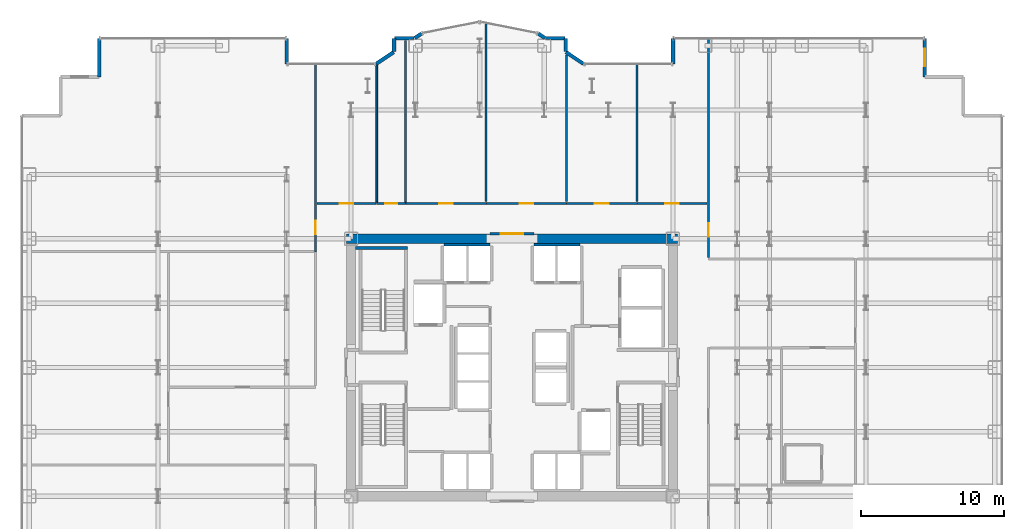
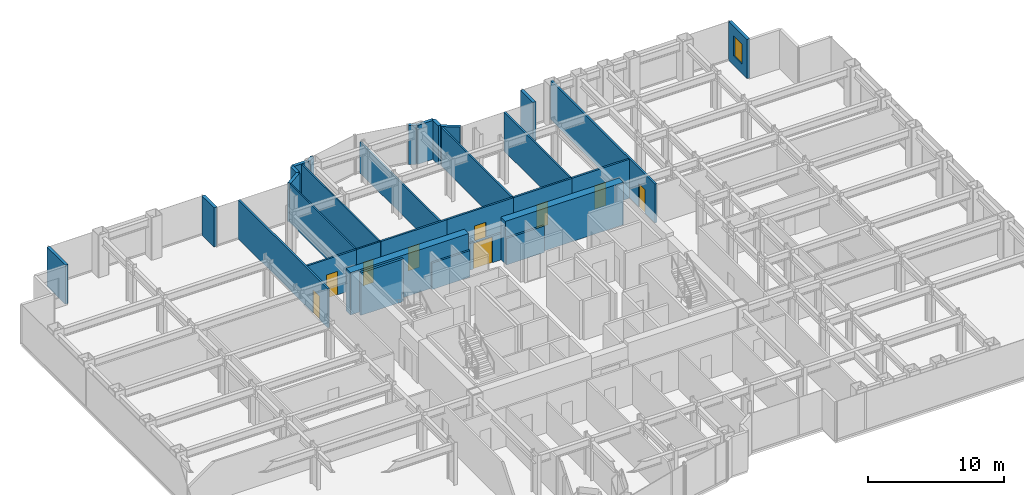
# One storey, part 24 of 26: 31 walls, 9 doors, 1 window, 10 openings.
"""IFC4 building model written with IfcOpenShell, lengths in metres."""

from ifc_helpers import new_model, si_unit, direction, frame, frame_2d, origin, place, context, subcontext, project, spatial, rectangle, extrude, source, transform, mapped, material, layer, layer_set, type_object, element, fill, save


model = new_model("IFC4")

# Units and contexts
model_context = context("Model", 3, precision=1e-05, world=origin(), true_north=direction((0.0, 1.0)))
body_context = subcontext(model_context, "Body", "Model", "MODEL_VIEW")
ifc_project = project(units=[si_unit("LENGTHUNIT", "METRE"), si_unit("AREAUNIT", "SQUARE_METRE"), si_unit("VOLUMEUNIT", "CUBIC_METRE"), si_unit("PLANEANGLEUNIT", "RADIAN"), si_unit("MASSUNIT", "GRAM", prefix="KILO")], contexts=[model_context])

# Site, building, storey
site_placement = place(None, origin())
site = spatial("IfcSite", under=ifc_project, at=site_placement, CompositionType="ELEMENT")
building_placement = place(site_placement, origin())
building = spatial("IfcBuilding", under=site, at=building_placement, Name="Nefas-Gora Pilgrimage Tower", CompositionType="ELEMENT")
storey_placement = place(building_placement, frame((0.0, 0.0, 82.39990234375)))
storey = spatial("IfcBuildingStorey", under=building, at=storey_placement, Name="L19", CompositionType="ELEMENT", Elevation=82.39990234375)

# Walls
ifc_material_1 = material(Name="Concrete C60/75", Category="concrete")
ifc_layer_1 = layer(ifc_material_1, 0.64990234375)
ifc_layer_set_1 = layer_set([ifc_layer_1], Name="Concrete C60/75")
wall_type_1 = type_object("IfcWallType", Name="SW-CORE-650", PredefinedType="SHEAR", material=ifc_layer_set_1)
shared_shape_1 = source(origin(), body_context, "Body", "SweptSolid", [
    extrude(rectangle(XDim=10.02490234375, YDim=0.64990234375, at=frame_2d((5.012451171875, 0.0))), origin(), (0.0, 0.0, 1.0), 3.800048828125),
])
for number, where, z_axis, x_axis, name in (
    (1, (-11.574951171875, 9.0, 0.0), (0.0, 0.0, 1.0), (1.0, 0.0, 0.0), "L19 Core Shear Wall N-West"),
    (2, (1.550048828125, 9.0, 0.0), (0.0, 0.0, 1.0), (1.0, 0.0, 0.0), "L19 Core Shear Wall N-East"),
):
    element("IfcWall", number, at=place(storey_placement, frame(where, z_axis=z_axis, x_axis=x_axis)), inside=storey, type_object=wall_type_1, Name=name, PredefinedType="SHEAR", context=body_context, shape_type="MappedRepresentation", body=[
        mapped(shared_shape_1, transform((0.0, 0.0, 0.0), x_axis=(1.0, 0.0, 0.0), y_axis=(0.0, 1.0, 0.0), z_axis=(0.0, 0.0, 1.0), scale=1.0)),
    ])
ifc_material_2 = material(Name="Precast concrete C40/50", Category="concrete")
ifc_layer_2 = layer(ifc_material_2, 0.260009765625)
ifc_layer_set_2 = layer_set([ifc_layer_2], Name="Precast concrete C40/50")
wall_type_2 = type_object("IfcWallType", Name="EW-PORTAL-260", PredefinedType="SOLIDWALL", material=ifc_layer_set_2)
shared_shape_2 = source(origin(), body_context, "Body", "SweptSolid", [
    extrude(rectangle(XDim=1.800048828125, YDim=0.260009765625, at=frame_2d((0.89990234375, 0.0))), origin(), (0.0, 0.0, 1.0), 3.5),
])
for number, where, z_axis, x_axis, name in (
    (3, (11.25, 23.02001953125, 0.0), (0.0, 0.0, 1.0), (0.0, -1.0, 0.0), "L19 Lobe Shoulder Precast Spandrel Pier 10"),
    (4, (-15.75, 21.219970703125, 0.0), (0.0, 0.0, 1.0), (0.0, 1.0, 0.0), "L19 Lobe Shoulder Precast Spandrel Pier 19"),
):
    element("IfcWall", number, at=place(storey_placement, frame(where, z_axis=z_axis, x_axis=x_axis)), inside=storey, type_object=wall_type_2, Name=name, PredefinedType="SOLIDWALL", context=body_context, shape_type="MappedRepresentation", body=[
        mapped(shared_shape_2, transform((0.0, 0.0, 0.0), x_axis=(1.0, 0.0, 0.0), y_axis=(0.0, 1.0, 0.0), z_axis=(0.0, 0.0, 1.0), scale=1.0)),
    ])

# Wall, opening, window
ifc_material_3 = material(Name="Precast concrete C45/55", Category="concrete")
ifc_layer_3 = layer(ifc_material_3, 0.239990234375)
ifc_layer_set_3 = layer_set([ifc_layer_3], Name="Precast concrete C45/55")
wall_type_3 = type_object("IfcWallType", Name="EW-SERR-240", PredefinedType="SHEAR", material=ifc_layer_set_3)
shared_shape_3 = source(origin(), body_context, "Body", "SweptSolid", [
    extrude(rectangle(XDim=2.699951171875, YDim=0.239990234375, at=frame_2d((1.35009765625, 0.0))), origin(), (0.0, 0.0, 1.0), 3.5),
])
wall_1_placement = place(storey_placement, frame((28.8701171875, 20.320068359375, 0.0), z_axis=(0.0, 0.0, 1.0), x_axis=(0.0, 1.0, 0.0)))
wall_1 = element("IfcWall", 5, at=wall_1_placement, inside=storey, type_object=wall_type_3, Name="L19 Serrated Corner Shear Pier Wall 9", PredefinedType="SHEAR", context=body_context, shape_type="MappedRepresentation", body=[
    mapped(shared_shape_3, transform((0.0, 0.0, 0.0), x_axis=(1.0, 0.0, 0.0), y_axis=(0.0, 1.0, 0.0), z_axis=(0.0, 0.0, 1.0), scale=1.0)),
])
opening_1_placement = place(wall_1_placement, frame((0.75, 0.0, 0.85009765625)))
opening_1 = element("IfcOpeningElement", 6, at=opening_1_placement, cuts=wall_1, Name="Opening W-V1", PredefinedType="OPENING", context=body_context, shape_type="SweptSolid", body=[
    extrude(rectangle(XDim=1.199951171875, YDim=1.800048828125, at=frame_2d((0.60009765625, 0.89990234375))), frame((0.0, 0.1298828125, 0.0), z_axis=(0.0, -1.0, 0.0), x_axis=(1.0, 0.0, 0.0)), (0.0, 0.0, 1.0), 0.260009765625),
])
ifc_material_4 = material(Name="Dark ceramic-fritted operable aluminium-glass window", Category="aluminium")
window_type = type_object("IfcWindowType", Name="WIN-VENT-1200x1800", PartitioningType="SINGLE_PANEL", PredefinedType="WINDOW", material=ifc_material_4)
shared_shape_4 = source(origin(), body_context, "Body", "SweptSolid", [
    extrude(rectangle(XDim=1.199951171875, YDim=1.800048828125, at=frame_2d((0.60009765625, 0.89990234375))), frame((0.0, 0.030029296875, 0.0), z_axis=(0.0, -1.0, 0.0), x_axis=(1.0, 0.0, 0.0)), (0.0, 0.0, 1.0), 0.06005859375),
])
window_placement = place(opening_1_placement, origin())
window = element("IfcWindow", 7, at=window_placement, inside=storey, type_object=window_type, Name="L19 Operable Parallel-Outswing Window 9", OverallHeight=1.800048828125, OverallWidth=1.199951171875, PartitioningType="SINGLE_PANEL", PredefinedType="WINDOW", context=body_context, shape_type="MappedRepresentation", body=[
    mapped(shared_shape_4, transform((0.0, 0.0, 0.0), x_axis=(1.0, 0.0, 0.0), y_axis=(0.0, 1.0, 0.0), z_axis=(0.0, 0.0, 1.0), scale=1.0)),
])
fill(opening_1, window)

# Walls
wall_2_placement = place(storey_placement, frame((-28.8701171875, 23.02001953125, 0.0), z_axis=(0.0, 0.0, 1.0), x_axis=(0.0, -1.0, 0.0)))
element("IfcWall", 8, at=wall_2_placement, inside=storey, type_object=wall_type_3, Name="L19 Serrated Corner Shear Pier Wall 20", PredefinedType="SHEAR", context=body_context, shape_type="MappedRepresentation", body=[
    mapped(shared_shape_3, transform((0.0, 0.0, 0.0), x_axis=(1.0, 0.0, 0.0), y_axis=(0.0, 1.0, 0.0), z_axis=(0.0, 0.0, 1.0), scale=1.0)),
])
shared_shape_5 = source(origin(), body_context, "Body", "SweptSolid", [
    extrude(rectangle(XDim=1.468994140625, YDim=0.260009765625, at=frame_2d((0.734375, 0.0))), origin(), (0.0, 0.0, 1.0), 3.5),
])
for number, where, z_axis, x_axis, name in (
    (9, (4.99462890625, 21.235595703125, 0.0), (0.0, 0.0, 1.0), (-0.831461760506, 0.555581983884, 0.0), "L19 Lobe Shoulder Precast Spandrel Pier 11"),
    (10, (-8.273193359375, 22.0517578125, 0.0), (0.0, 0.0, 1.0), (-0.831461760506, -0.555581983884, 0.0), "L19 Lobe Shoulder Precast Spandrel Pier 18"),
):
    element("IfcWall", number, at=place(storey_placement, frame(where, z_axis=z_axis, x_axis=x_axis)), inside=storey, type_object=wall_type_2, Name=name, PredefinedType="SOLIDWALL", context=body_context, shape_type="MappedRepresentation", body=[
        mapped(shared_shape_5, transform((0.0, 0.0, 0.0), x_axis=(1.0, 0.0, 0.0), y_axis=(0.0, 1.0, 0.0), z_axis=(0.0, 0.0, 1.0), scale=1.0)),
    ])
shared_shape_6 = source(origin(), body_context, "Body", "SweptSolid", [
    extrude(rectangle(XDim=0.896728515625, YDim=0.260009765625, at=frame_2d((0.4482421875, 0.0))), origin(), (0.0, 0.0, 1.0), 3.5),
])
for number, where, z_axis, x_axis, name in (
    (11, (3.75, 22.09521484375, 0.0), (0.0, 0.0, 1.0), (0.0, 1.0, 0.0), "L19 Lobe Shoulder Precast Spandrel Pier 12"),
    (12, (-8.25, 22.991943359375, 0.0), (0.0, 0.0, 1.0), (0.0, -1.0, 0.0), "L19 Lobe Shoulder Precast Spandrel Pier 17"),
):
    element("IfcWall", number, at=place(storey_placement, frame(where, z_axis=z_axis, x_axis=x_axis)), inside=storey, type_object=wall_type_2, Name=name, PredefinedType="SOLIDWALL", context=body_context, shape_type="MappedRepresentation", body=[
        mapped(shared_shape_6, transform((0.0, 0.0, 0.0), x_axis=(1.0, 0.0, 0.0), y_axis=(0.0, 1.0, 0.0), z_axis=(0.0, 0.0, 1.0), scale=1.0)),
    ])
shared_shape_7 = source(origin(), body_context, "Body", "SweptSolid", [
    extrude(rectangle(XDim=1.369873046875, YDim=0.260009765625, at=frame_2d((0.68505859375, 0.0))), origin(), (0.0, 0.0, 1.0), 3.5),
])
for number, where, z_axis, x_axis, name in (
    (13, (3.721923828125, 23.02001953125, 0.0), (0.0, 0.0, 1.0), (-1.0, 0.0, 0.0), "L19 Lobe Shoulder Precast Spandrel Pier 13"),
    (14, (-6.85205078125, 23.02001953125, 0.0), (0.0, 0.0, 1.0), (-1.0, 0.0, 0.0), "L19 Lobe Shoulder Precast Spandrel Pier 16"),
):
    element("IfcWall", number, at=place(storey_placement, frame(where, z_axis=z_axis, x_axis=x_axis)), inside=storey, type_object=wall_type_2, Name=name, PredefinedType="SOLIDWALL", context=body_context, shape_type="MappedRepresentation", body=[
        mapped(shared_shape_7, transform((0.0, 0.0, 0.0), x_axis=(1.0, 0.0, 0.0), y_axis=(0.0, 1.0, 0.0), z_axis=(0.0, 0.0, 1.0), scale=1.0)),
    ])
shared_shape_8 = source(origin(), body_context, "Body", "SweptSolid", [
    extrude(rectangle(XDim=0.5654296875, YDim=0.260009765625, at=frame_2d((0.28271484375, 0.0))), origin(), (0.0, 0.0, 1.0), 3.5),
])
for number, where, z_axis, x_axis, name in (
    (15, (2.30078125, 23.03564453125, 0.0), (0.0, 0.0, 1.0), (-0.831651492666, 0.555297933317, 0.0), "L19 Lobe Shoulder Precast Spandrel Pier 14"),
    (16, (-6.33056640625, 23.349609375, 0.0), (0.0, 0.0, 1.0), (-0.831651492666, -0.555297933317, 0.0), "L19 Lobe Shoulder Precast Spandrel Pier 15"),
):
    element("IfcWall", number, at=place(storey_placement, frame(where, z_axis=z_axis, x_axis=x_axis)), inside=storey, type_object=wall_type_2, Name=name, PredefinedType="SOLIDWALL", context=body_context, shape_type="MappedRepresentation", body=[
        mapped(shared_shape_8, transform((0.0, 0.0, 0.0), x_axis=(1.0, 0.0, 0.0), y_axis=(0.0, 1.0, 0.0), z_axis=(0.0, 0.0, 1.0), scale=1.0)),
    ])
ifc_material_5 = material(Name="Concrete C45/55", Category="concrete")
ifc_layer_4 = layer(ifc_material_5, 0.199951171875)
ifc_layer_set_4 = layer_set([ifc_layer_4], Name="Concrete C45/55")
wall_type_4 = type_object("IfcWallType", Name="IW-STAIR-200", PredefinedType="SOLIDWALL", material=ifc_layer_set_4)
shared_shape_9 = source(origin(), body_context, "Body", "SweptSolid", [
    extrude(rectangle(XDim=3.6298828125, YDim=0.199951171875, at=frame_2d((1.81494140625, 0.0))), origin(), (0.0, 0.0, 1.0), 3.800048828125),
])
wall_3_placement = place(storey_placement, frame((-7.300048828125, 8.35009765625, 0.0), z_axis=(0.0, 0.0, 1.0), x_axis=(-1.0, 0.0, 0.0)))
element("IfcWall", 17, at=wall_3_placement, inside=storey, type_object=wall_type_4, Name="L19 Stairwell Shear Wall ST-01-far", PredefinedType="SOLIDWALL", context=body_context, shape_type="MappedRepresentation", body=[
    mapped(shared_shape_9, transform((0.0, 0.0, 0.0), x_axis=(1.0, 0.0, 0.0), y_axis=(0.0, 1.0, 0.0), z_axis=(0.0, 0.0, 1.0), scale=1.0)),
])
ifc_material_6 = material(Name="Gypsum acoustic stud partition")
ifc_layer_5 = layer(ifc_material_6, 0.159912109375)
ifc_layer_set_5 = layer_set([ifc_layer_5], Name="Gypsum acoustic stud partition")
wall_type_5 = type_object("IfcWallType", Name="IW-CORR-160", PredefinedType="PARTITIONING", material=ifc_layer_set_5)
shared_shape_10 = source(origin(), body_context, "Body", "SweptSolid", [
    extrude(rectangle(XDim=3.199951171875, YDim=0.159912109375, at=frame_2d((1.60009765625, 0.0))), origin(), (0.0, 0.0, 1.0), 2.375),
])
for number, where, z_axis, x_axis, name in (
    (18, (-1.550048828125, 8.580078125, 0.0), (0.0, 0.0, 1.0), (-1.0, 0.0, 0.0), "L19 Hoistway Wall PL1-W-N"),
    (19, (4.75, 8.580078125, 0.0), (0.0, 0.0, 1.0), (-1.0, 0.0, 0.0), "L19 Hoistway Wall PL1-E-N"),
):
    element("IfcWall", number, at=place(storey_placement, frame(where, z_axis=z_axis, x_axis=x_axis)), inside=storey, type_object=wall_type_5, Name=name, PredefinedType="PARTITIONING", context=body_context, shape_type="MappedRepresentation", body=[
        mapped(shared_shape_10, transform((0.0, 0.0, 0.0), x_axis=(1.0, 0.0, 0.0), y_axis=(0.0, 1.0, 0.0), z_axis=(0.0, 0.0, 1.0), scale=1.0)),
    ])

# Wall, opening, door
shared_shape_11 = source(origin(), body_context, "Body", "SweptSolid", [
    extrude(rectangle(XDim=3.08984375, YDim=0.159912109375, at=frame_2d((1.544921875, 0.0))), origin(), (0.0, 0.0, 1.0), 2.375),
])
wall_4_placement = place(storey_placement, frame((-1.544921875, 9.35009765625, 0.0), z_axis=(0.0, 0.0, 1.0), x_axis=(1.0, 0.0, 0.0)))
wall_4 = element("IfcWall", 20, at=wall_4_placement, inside=storey, type_object=wall_type_5, Name="L19 Central Lift Lobby North Portal Wall 13", PredefinedType="PARTITIONING", context=body_context, shape_type="MappedRepresentation", body=[
    mapped(shared_shape_11, transform((0.0, 0.0, 0.0), x_axis=(1.0, 0.0, 0.0), y_axis=(0.0, 1.0, 0.0), z_axis=(0.0, 0.0, 1.0), scale=1.0)),
])
opening_2_placement = place(wall_4_placement, frame((0.7451171875, 0.0, 0.0)))
opening_2 = element("IfcOpeningElement", 21, at=opening_2_placement, cuts=wall_4, Name="Opening ID-HL1", PredefinedType="OPENING", context=body_context, shape_type="SweptSolid", body=[
    extrude(rectangle(XDim=1.60009765625, YDim=2.300048828125, at=frame_2d((0.800048828125, 1.14990234375))), frame((0.0, 0.08984375, 0.0), z_axis=(0.0, -1.0, 0.0), x_axis=(1.0, 0.0, 0.0)), (0.0, 0.0, 1.0), 0.179931640625),
])
ifc_material_7 = material(Name="Double acoustic timber assembly hall door", Category="wood")
door_type_1 = type_object("IfcDoorType", Name="DR-INT-HALL-1600", OperationType="DOUBLE_DOOR_SINGLE_SWING", PredefinedType="DOOR", material=ifc_material_7)
shared_shape_12 = source(origin(), body_context, "Body", "SweptSolid", [
    extrude(rectangle(XDim=1.60009765625, YDim=2.300048828125, at=frame_2d((0.800048828125, 1.14990234375))), frame((0.0, 0.02490234375, 0.0), z_axis=(0.0, -1.0, 0.0), x_axis=(1.0, 0.0, 0.0)), (0.0, 0.0, 1.0), 0.050048828125),
])
door_1_placement = place(opening_2_placement, origin())
door_1 = element("IfcDoor", 22, at=door_1_placement, inside=storey, type_object=door_type_1, Name="L19 Central Lift Lobby North Portal Door 4", OperationType="DOUBLE_DOOR_SINGLE_SWING", OverallHeight=2.300048828125, OverallWidth=1.60009765625, PredefinedType="DOOR", context=body_context, shape_type="MappedRepresentation", body=[
    mapped(shared_shape_12, transform((0.0, 0.0, 0.0), x_axis=(1.0, 0.0, 0.0), y_axis=(0.0, 1.0, 0.0), z_axis=(0.0, 0.0, 1.0), scale=1.0)),
])
fill(opening_2, door_1)

ifc_material_8 = material(Name="Moisture-resistant fire-rated gypsum partition")
ifc_layer_6 = layer(ifc_material_8, 0.1201171875)
ifc_layer_set_6 = layer_set([ifc_layer_6], Name="Moisture-resistant fire-rated gypsum partition")
wall_type_6 = type_object("IfcWallType", Name="IW-WET-120", PredefinedType="PLUMBINGWALL", material=ifc_layer_set_6)
shared_shape_13 = source(origin(), body_context, "Body", "SweptSolid", [
    extrude(rectangle(XDim=2.02001953125, YDim=0.1201171875, at=frame_2d((1.010009765625, 0.0))), origin(), (0.0, 0.0, 1.0), 3.485107421875),
])
wall_5_placement = place(storey_placement, frame((-9.4599609375, 11.469970703125, 0.0), z_axis=(0.0, 0.0, 1.0), x_axis=(1.0, 0.0, 0.0)))
wall_5 = element("IfcWall", 23, at=wall_5_placement, inside=storey, type_object=wall_type_6, Name="L19 Accessible Unisex WC Partition Wall 24", PredefinedType="PLUMBINGWALL", context=body_context, shape_type="MappedRepresentation", body=[
    mapped(shared_shape_13, transform((0.0, 0.0, 0.0), x_axis=(1.0, 0.0, 0.0), y_axis=(0.0, 1.0, 0.0), z_axis=(0.0, 0.0, 1.0), scale=1.0)),
])
opening_3_placement = place(wall_5_placement, frame((0.5849609375, 0.0, 0.0)))
opening_3 = element("IfcOpeningElement", 24, at=opening_3_placement, cuts=wall_5, Name="Opening ID-BT1", PredefinedType="OPENING", context=body_context, shape_type="SweptSolid", body=[
    extrude(rectangle(XDim=0.85009765625, YDim=2.10009765625, at=frame_2d((0.425048828125, 1.050048828125))), frame((0.0, 0.070068359375, 0.0), z_axis=(0.0, -1.0, 0.0), x_axis=(1.0, 0.0, 0.0)), (0.0, 0.0, 1.0), 0.14013671875),
])
ifc_material_9 = material(Name="Moisture-resistant fire-rated timber door", Category="wood")
door_type_2 = type_object("IfcDoorType", Name="DR-INT-BATH-850", OperationType="NOTDEFINED", PredefinedType="DOOR", material=ifc_material_9)
shared_shape_14 = source(origin(), body_context, "Body", "SweptSolid", [
    extrude(rectangle(XDim=0.85009765625, YDim=2.10009765625, at=frame_2d((0.425048828125, 1.050048828125))), frame((0.0, 0.02490234375, 0.0), z_axis=(0.0, -1.0, 0.0), x_axis=(1.0, 0.0, 0.0)), (0.0, 0.0, 1.0), 0.050048828125),
])
door_2_placement = place(opening_3_placement, origin())
door_2 = element("IfcDoor", 25, at=door_2_placement, inside=storey, type_object=door_type_2, Name="L19 Accessible Unisex WC Door 9", OperationType="SINGLE_SWING_RIGHT", OverallHeight=2.10009765625, OverallWidth=0.85009765625, PredefinedType="DOOR", context=body_context, shape_type="MappedRepresentation", body=[
    mapped(shared_shape_14, transform((0.0, 0.0, 0.0), x_axis=(1.0, 0.0, 0.0), y_axis=(0.0, 1.0, 0.0), z_axis=(0.0, 0.0, 1.0), scale=1.0)),
])
fill(opening_3, door_2)

# Walls
shared_shape_15 = source(origin(), body_context, "Body", "SweptSolid", [
    extrude(rectangle(XDim=11.280029296875, YDim=0.1201171875, at=frame_2d((5.64013671875, 0.0))), origin(), (0.0, 0.0, 1.0), 3.485107421875),
])
wall_6_placement = place(storey_placement, frame((-7.449951171875, 11.570068359375, 0.0), z_axis=(0.0, 0.0, 1.0), x_axis=(0.0, 1.0, 0.0)))
element("IfcWall", 26, at=wall_6_placement, inside=storey, type_object=wall_type_6, Name="L19 Accessible Unisex WC Partition Wall 25", PredefinedType="PLUMBINGWALL", context=body_context, shape_type="MappedRepresentation", body=[
    mapped(shared_shape_15, transform((0.0, 0.0, 0.0), x_axis=(1.0, 0.0, 0.0), y_axis=(0.0, 1.0, 0.0), z_axis=(0.0, 0.0, 1.0), scale=1.0)),
])
shared_shape_16 = source(origin(), body_context, "Body", "SweptSolid", [
    extrude(rectangle(XDim=9.586669921875, YDim=0.1201171875, at=frame_2d((4.79345703125, 0.0))), origin(), (0.0, 0.0, 1.0), 3.485107421875),
])
wall_7_placement = place(storey_placement, frame((-9.449951171875, 11.570068359375, 0.0), z_axis=(0.0, 0.0, 1.0), x_axis=(0.0, 1.0, 0.0)))
element("IfcWall", 27, at=wall_7_placement, inside=storey, type_object=wall_type_6, Name="L19 Accessible Unisex WC Partition Wall 26", PredefinedType="PLUMBINGWALL", context=body_context, shape_type="MappedRepresentation", body=[
    mapped(shared_shape_16, transform((0.0, 0.0, 0.0), x_axis=(1.0, 0.0, 0.0), y_axis=(0.0, 1.0, 0.0), z_axis=(0.0, 0.0, 1.0), scale=1.0)),
])

# Wall, opening, door
shared_shape_17 = source(origin(), body_context, "Body", "SweptSolid", [
    extrude(rectangle(XDim=13.152587890625, YDim=0.159912109375, at=frame_2d((6.576171875, 0.0))), origin(), (0.0, 0.0, 1.0), 3.485107421875),
])
wall_8_placement = place(storey_placement, frame((-13.739990234375, 8.08740234375, 0.0), z_axis=(0.0, 0.0, 1.0), x_axis=(0.0, 1.0, 0.0)))
wall_8 = element("IfcWall", 28, at=wall_8_placement, inside=storey, type_object=wall_type_5, Name="L19 Pilgrim Devotional Prayer Gallery Partition Wall 29", PredefinedType="PARTITIONING", context=body_context, shape_type="MappedRepresentation", body=[
    mapped(shared_shape_17, transform((0.0, 0.0, 0.0), x_axis=(1.0, 0.0, 0.0), y_axis=(0.0, 1.0, 0.0), z_axis=(0.0, 0.0, 1.0), scale=1.0)),
])
opening_4_placement = place(wall_8_placement, frame((1.236083984375, 0.0, 0.0)))
opening_4 = element("IfcOpeningElement", 29, at=opening_4_placement, cuts=wall_8, Name="Opening ID-GR1", PredefinedType="OPENING", context=body_context, shape_type="SweptSolid", body=[
    extrude(rectangle(XDim=0.949951171875, YDim=2.10009765625, at=frame_2d((0.47509765625, 1.050048828125))), frame((0.0, 0.08984375, 0.0), z_axis=(0.0, -1.0, 0.0), x_axis=(1.0, 0.0, 0.0)), (0.0, 0.0, 1.0), 0.179931640625),
])
ifc_material_10 = material(Name="Solid core oak fire-rated guest entrance door")
door_type_3 = type_object("IfcDoorType", Name="DR-INT-GUEST-950", OperationType="NOTDEFINED", PredefinedType="DOOR", material=ifc_material_10)
shared_shape_18 = source(origin(), body_context, "Body", "SweptSolid", [
    extrude(rectangle(XDim=0.949951171875, YDim=2.10009765625, at=frame_2d((0.47509765625, 1.050048828125))), frame((0.0, 0.02490234375, 0.0), z_axis=(0.0, -1.0, 0.0), x_axis=(1.0, 0.0, 0.0)), (0.0, 0.0, 1.0), 0.050048828125),
])
door_3_placement = place(opening_4_placement, origin())
door_3 = element("IfcDoor", 30, at=door_3_placement, inside=storey, type_object=door_type_3, Name="L19 Pilgrim Devotional Prayer Gallery Door 11", OperationType="SINGLE_SWING_RIGHT", OverallHeight=2.10009765625, OverallWidth=0.949951171875, PredefinedType="DOOR", context=body_context, shape_type="MappedRepresentation", body=[
    mapped(shared_shape_18, transform((0.0, 0.0, 0.0), x_axis=(1.0, 0.0, 0.0), y_axis=(0.0, 1.0, 0.0), z_axis=(0.0, 0.0, 1.0), scale=1.0)),
])
fill(opening_4, door_3)

shared_shape_19 = source(origin(), body_context, "Body", "SweptSolid", [
    extrude(rectangle(XDim=15.3349609375, YDim=0.159912109375, at=frame_2d((7.66748046875, 0.0))), origin(), (0.0, 0.0, 1.0), 3.485107421875),
])
wall_9_placement = place(storey_placement, frame((13.739990234375, 7.705078125, 0.0), z_axis=(0.0, 0.0, 1.0), x_axis=(0.0, 1.0, 0.0)))
wall_9 = element("IfcWall", 31, at=wall_9_placement, inside=storey, type_object=wall_type_5, Name="L19 Pilgrim Contemplative Lounge Partition Wall 43", PredefinedType="PARTITIONING", context=body_context, shape_type="MappedRepresentation", body=[
    mapped(shared_shape_19, transform((0.0, 0.0, 0.0), x_axis=(1.0, 0.0, 0.0), y_axis=(0.0, 1.0, 0.0), z_axis=(0.0, 0.0, 1.0), scale=1.0)),
])
opening_5_placement = place(wall_9_placement, frame((1.427490234375, 0.0, 0.0)))
opening_5 = element("IfcOpeningElement", 32, at=opening_5_placement, cuts=wall_9, Name="Opening ID-GR1", PredefinedType="OPENING", context=body_context, shape_type="SweptSolid", body=[
    extrude(rectangle(XDim=0.949951171875, YDim=2.10009765625, at=frame_2d((0.47509765625, 1.050048828125))), frame((0.0, 0.08984375, 0.0), z_axis=(0.0, -1.0, 0.0), x_axis=(1.0, 0.0, 0.0)), (0.0, 0.0, 1.0), 0.179931640625),
])
door_4_placement = place(opening_5_placement, origin())
door_4 = element("IfcDoor", 33, at=door_4_placement, inside=storey, type_object=door_type_3, Name="L19 Pilgrim Contemplative Lounge Door 18", OperationType="SINGLE_SWING_LEFT", OverallHeight=2.10009765625, OverallWidth=0.949951171875, PredefinedType="DOOR", context=body_context, shape_type="MappedRepresentation", body=[
    mapped(shared_shape_18, transform((0.0, 0.0, 0.0), x_axis=(1.0, 0.0, 0.0), y_axis=(0.0, 1.0, 0.0), z_axis=(0.0, 0.0, 1.0), scale=1.0)),
])
fill(opening_5, door_4)

shared_shape_20 = source(origin(), body_context, "Body", "SweptSolid", [
    extrude(rectangle(XDim=4.125, YDim=0.159912109375, at=frame_2d((2.0625, 0.0))), origin(), (0.0, 0.0, 1.0), 3.485107421875),
])
wall_10_placement = place(storey_placement, frame((-13.6201171875, 11.469970703125, 0.0), z_axis=(0.0, 0.0, 1.0), x_axis=(1.0, 0.0, 0.0)))
wall_10 = element("IfcWall", 34, at=wall_10_placement, inside=storey, type_object=wall_type_5, Name="L19 Pilgrim Contemplative Lounge Partition Wall 44", PredefinedType="PARTITIONING", context=body_context, shape_type="MappedRepresentation", body=[
    mapped(shared_shape_20, transform((0.0, 0.0, 0.0), x_axis=(1.0, 0.0, 0.0), y_axis=(0.0, 1.0, 0.0), z_axis=(0.0, 0.0, 1.0), scale=1.0)),
])
opening_6_placement = place(wall_10_placement, frame((1.58740234375, 0.0, 0.0)))
opening_6 = element("IfcOpeningElement", 35, at=opening_6_placement, cuts=wall_10, Name="Opening ID-GR1", PredefinedType="OPENING", context=body_context, shape_type="SweptSolid", body=[
    extrude(rectangle(XDim=0.949951171875, YDim=2.10009765625, at=frame_2d((0.47509765625, 1.050048828125))), frame((0.0, 0.08984375, 0.0), z_axis=(0.0, -1.0, 0.0), x_axis=(1.0, 0.0, 0.0)), (0.0, 0.0, 1.0), 0.179931640625),
])
door_5_placement = place(opening_6_placement, origin())
door_5 = element("IfcDoor", 36, at=door_5_placement, inside=storey, type_object=door_type_3, Name="L19 Pilgrim Contemplative Lounge Door 19", OperationType="SINGLE_SWING_RIGHT", OverallHeight=2.10009765625, OverallWidth=0.949951171875, PredefinedType="DOOR", context=body_context, shape_type="MappedRepresentation", body=[
    mapped(shared_shape_18, transform((0.0, 0.0, 0.0), x_axis=(1.0, 0.0, 0.0), y_axis=(0.0, 1.0, 0.0), z_axis=(0.0, 0.0, 1.0), scale=1.0)),
])
fill(opening_6, door_5)

shared_shape_21 = source(origin(), body_context, "Body", "SweptSolid", [
    extrude(rectangle(XDim=5.60498046875, YDim=0.159912109375, at=frame_2d((2.802490234375, 0.0))), origin(), (0.0, 0.0, 1.0), 3.485107421875),
])
wall_11_placement = place(storey_placement, frame((-7.405029296875, 11.469970703125, 0.0), z_axis=(0.0, 0.0, 1.0), x_axis=(1.0, 0.0, 0.0)))
wall_11 = element("IfcWall", 37, at=wall_11_placement, inside=storey, type_object=wall_type_5, Name="L19 Pilgrim Contemplative Lounge Partition Wall 45", PredefinedType="PARTITIONING", context=body_context, shape_type="MappedRepresentation", body=[
    mapped(shared_shape_21, transform((0.0, 0.0, 0.0), x_axis=(1.0, 0.0, 0.0), y_axis=(0.0, 1.0, 0.0), z_axis=(0.0, 0.0, 1.0), scale=1.0)),
])
opening_7_placement = place(wall_11_placement, frame((2.327392578125, 0.0, 0.0)))
opening_7 = element("IfcOpeningElement", 38, at=opening_7_placement, cuts=wall_11, Name="Opening ID-GR1", PredefinedType="OPENING", context=body_context, shape_type="SweptSolid", body=[
    extrude(rectangle(XDim=0.949951171875, YDim=2.10009765625, at=frame_2d((0.47509765625, 1.050048828125))), frame((0.0, 0.08984375, 0.0), z_axis=(0.0, -1.0, 0.0), x_axis=(1.0, 0.0, 0.0)), (0.0, 0.0, 1.0), 0.179931640625),
])
door_6_placement = place(opening_7_placement, origin())
door_6 = element("IfcDoor", 39, at=door_6_placement, inside=storey, type_object=door_type_3, Name="L19 Pilgrim Contemplative Lounge Door 20", OperationType="SINGLE_SWING_LEFT", OverallHeight=2.10009765625, OverallWidth=0.949951171875, PredefinedType="DOOR", context=body_context, shape_type="MappedRepresentation", body=[
    mapped(shared_shape_18, transform((0.0, 0.0, 0.0), x_axis=(1.0, 0.0, 0.0), y_axis=(0.0, 1.0, 0.0), z_axis=(0.0, 0.0, 1.0), scale=1.0)),
])
fill(opening_7, door_6)

wall_12_placement = place(storey_placement, frame((-1.800048828125, 11.469970703125, 0.0), z_axis=(0.0, 0.0, 1.0), x_axis=(1.0, 0.0, 0.0)))
wall_12 = element("IfcWall", 40, at=wall_12_placement, inside=storey, type_object=wall_type_5, Name="L19 Pilgrim Contemplative Lounge Partition Wall 47", PredefinedType="PARTITIONING", context=body_context, shape_type="MappedRepresentation", body=[
    mapped(shared_shape_21, transform((0.0, 0.0, 0.0), x_axis=(1.0, 0.0, 0.0), y_axis=(0.0, 1.0, 0.0), z_axis=(0.0, 0.0, 1.0), scale=1.0)),
])
opening_8_placement = place(wall_12_placement, frame((2.327392578125, 0.0, 0.0)))
opening_8 = element("IfcOpeningElement", 41, at=opening_8_placement, cuts=wall_12, Name="Opening ID-GR1", PredefinedType="OPENING", context=body_context, shape_type="SweptSolid", body=[
    extrude(rectangle(XDim=0.949951171875, YDim=2.10009765625, at=frame_2d((0.47509765625, 1.050048828125))), frame((0.0, 0.08984375, 0.0), z_axis=(0.0, -1.0, 0.0), x_axis=(1.0, 0.0, 0.0)), (0.0, 0.0, 1.0), 0.179931640625),
])
door_7_placement = place(opening_8_placement, origin())
door_7 = element("IfcDoor", 42, at=door_7_placement, inside=storey, type_object=door_type_3, Name="L19 Pilgrim Contemplative Lounge Door 21", OperationType="SINGLE_SWING_RIGHT", OverallHeight=2.10009765625, OverallWidth=0.949951171875, PredefinedType="DOOR", context=body_context, shape_type="MappedRepresentation", body=[
    mapped(shared_shape_18, transform((0.0, 0.0, 0.0), x_axis=(1.0, 0.0, 0.0), y_axis=(0.0, 1.0, 0.0), z_axis=(0.0, 0.0, 1.0), scale=1.0)),
])
fill(opening_8, door_7)

# Walls
ifc_material_11 = material(Name="Gypsum twin-stud partition")
ifc_layer_7 = layer(ifc_material_11, 0.139892578125)
ifc_layer_set_7 = layer_set([ifc_layer_7], Name="Gypsum twin-stud partition")
wall_type_7 = type_object("IfcWallType", Name="IW-UNIT-140", PredefinedType="PARTITIONING", material=ifc_layer_set_7)
shared_shape_22 = source(origin(), body_context, "Body", "SweptSolid", [
    extrude(rectangle(XDim=12.51513671875, YDim=0.139892578125, at=frame_2d((6.257568359375, 0.0))), origin(), (0.0, 0.0, 1.0), 2.775146484375),
])
wall_13_placement = place(storey_placement, frame((-1.81005859375, 11.590087890625, 0.0), z_axis=(0.0, 0.0, 1.0), x_axis=(0.0, 1.0, 0.0)))
element("IfcWall", 43, at=wall_13_placement, inside=storey, type_object=wall_type_7, Name="L19 Pilgrim Contemplative Lounge Partition Wall 46", PredefinedType="PARTITIONING", context=body_context, shape_type="MappedRepresentation", body=[
    mapped(shared_shape_22, transform((0.0, 0.0, 0.0), x_axis=(1.0, 0.0, 0.0), y_axis=(0.0, 1.0, 0.0), z_axis=(0.0, 0.0, 1.0), scale=1.0)),
])
shared_shape_23 = source(origin(), body_context, "Body", "SweptSolid", [
    extrude(rectangle(XDim=10.2451171875, YDim=0.139892578125, at=frame_2d((5.12255859375, 0.0))), origin(), (0.0, 0.0, 1.0), 3.485107421875),
])
wall_14_placement = place(storey_placement, frame((3.794921875, 11.590087890625, 0.0), z_axis=(0.0, 0.0, 1.0), x_axis=(0.0, 1.0, 0.0)))
element("IfcWall", 44, at=wall_14_placement, inside=storey, type_object=wall_type_7, Name="L19 Pilgrim Contemplative Lounge Partition Wall 48", PredefinedType="PARTITIONING", context=body_context, shape_type="MappedRepresentation", body=[
    mapped(shared_shape_23, transform((0.0, 0.0, 0.0), x_axis=(1.0, 0.0, 0.0), y_axis=(0.0, 1.0, 0.0), z_axis=(0.0, 0.0, 1.0), scale=1.0)),
])

# Wall, opening, door
shared_shape_24 = source(origin(), body_context, "Body", "SweptSolid", [
    extrude(rectangle(XDim=4.965087890625, YDim=0.159912109375, at=frame_2d((2.482421875, 0.0))), origin(), (0.0, 0.0, 1.0), 3.485107421875),
])
wall_15_placement = place(storey_placement, frame((3.794921875, 11.469970703125, 0.0), z_axis=(0.0, 0.0, 1.0), x_axis=(1.0, 0.0, 0.0)))
wall_15 = element("IfcWall", 45, at=wall_15_placement, inside=storey, type_object=wall_type_5, Name="L19 Pilgrim Contemplative Lounge Partition Wall 49", PredefinedType="PARTITIONING", context=body_context, shape_type="MappedRepresentation", body=[
    mapped(shared_shape_24, transform((0.0, 0.0, 0.0), x_axis=(1.0, 0.0, 0.0), y_axis=(0.0, 1.0, 0.0), z_axis=(0.0, 0.0, 1.0), scale=1.0)),
])
opening_9_placement = place(wall_15_placement, frame((2.007568359375, 0.0, 0.0)))
opening_9 = element("IfcOpeningElement", 46, at=opening_9_placement, cuts=wall_15, Name="Opening ID-GR1", PredefinedType="OPENING", context=body_context, shape_type="SweptSolid", body=[
    extrude(rectangle(XDim=0.949951171875, YDim=2.10009765625, at=frame_2d((0.47509765625, 1.050048828125))), frame((0.0, 0.08984375, 0.0), z_axis=(0.0, -1.0, 0.0), x_axis=(1.0, 0.0, 0.0)), (0.0, 0.0, 1.0), 0.179931640625),
])
door_8_placement = place(opening_9_placement, origin())
door_8 = element("IfcDoor", 47, at=door_8_placement, inside=storey, type_object=door_type_3, Name="L19 Pilgrim Contemplative Lounge Door 22", OperationType="SINGLE_SWING_LEFT", OverallHeight=2.10009765625, OverallWidth=0.949951171875, PredefinedType="DOOR", context=body_context, shape_type="MappedRepresentation", body=[
    mapped(shared_shape_18, transform((0.0, 0.0, 0.0), x_axis=(1.0, 0.0, 0.0), y_axis=(0.0, 1.0, 0.0), z_axis=(0.0, 0.0, 1.0), scale=1.0)),
])
fill(opening_9, door_8)

# Wall
shared_shape_25 = source(origin(), body_context, "Body", "SweptSolid", [
    extrude(rectangle(XDim=9.64990234375, YDim=0.139892578125, at=frame_2d((4.824951171875, 0.0))), origin(), (0.0, 0.0, 1.0), 3.485107421875),
])
wall_16_placement = place(storey_placement, frame((8.75, 11.590087890625, 0.0), z_axis=(0.0, 0.0, 1.0), x_axis=(0.0, 1.0, 0.0)))
element("IfcWall", 48, at=wall_16_placement, inside=storey, type_object=wall_type_7, Name="L19 Pilgrim Contemplative Lounge Partition Wall 50", PredefinedType="PARTITIONING", context=body_context, shape_type="MappedRepresentation", body=[
    mapped(shared_shape_25, transform((0.0, 0.0, 0.0), x_axis=(1.0, 0.0, 0.0), y_axis=(0.0, 1.0, 0.0), z_axis=(0.0, 0.0, 1.0), scale=1.0)),
])

# Wall, opening, door
shared_shape_26 = source(origin(), body_context, "Body", "SweptSolid", [
    extrude(rectangle(XDim=4.860107421875, YDim=0.159912109375, at=frame_2d((2.43017578125, 0.0))), origin(), (0.0, 0.0, 1.0), 3.485107421875),
])
wall_17_placement = place(storey_placement, frame((8.760009765625, 11.469970703125, 0.0), z_axis=(0.0, 0.0, 1.0), x_axis=(1.0, 0.0, 0.0)))
wall_17 = element("IfcWall", 49, at=wall_17_placement, inside=storey, type_object=wall_type_5, Name="L19 Pilgrim Contemplative Lounge Partition Wall 51", PredefinedType="PARTITIONING", context=body_context, shape_type="MappedRepresentation", body=[
    mapped(shared_shape_26, transform((0.0, 0.0, 0.0), x_axis=(1.0, 0.0, 0.0), y_axis=(0.0, 1.0, 0.0), z_axis=(0.0, 0.0, 1.0), scale=1.0)),
])
opening_10_placement = place(wall_17_placement, frame((1.955078125, 0.0, 0.0)))
opening_10 = element("IfcOpeningElement", 50, at=opening_10_placement, cuts=wall_17, Name="Opening ID-GR1", PredefinedType="OPENING", context=body_context, shape_type="SweptSolid", body=[
    extrude(rectangle(XDim=0.949951171875, YDim=2.10009765625, at=frame_2d((0.47509765625, 1.050048828125))), frame((0.0, 0.08984375, 0.0), z_axis=(0.0, -1.0, 0.0), x_axis=(1.0, 0.0, 0.0)), (0.0, 0.0, 1.0), 0.179931640625),
])
door_9_placement = place(opening_10_placement, origin())
door_9 = element("IfcDoor", 51, at=door_9_placement, inside=storey, type_object=door_type_3, Name="L19 Pilgrim Contemplative Lounge Door 23", OperationType="SINGLE_SWING_RIGHT", OverallHeight=2.10009765625, OverallWidth=0.949951171875, PredefinedType="DOOR", context=body_context, shape_type="MappedRepresentation", body=[
    mapped(shared_shape_18, transform((0.0, 0.0, 0.0), x_axis=(1.0, 0.0, 0.0), y_axis=(0.0, 1.0, 0.0), z_axis=(0.0, 0.0, 1.0), scale=1.0)),
])
fill(opening_10, door_9)

save(model, "model.ifc")
